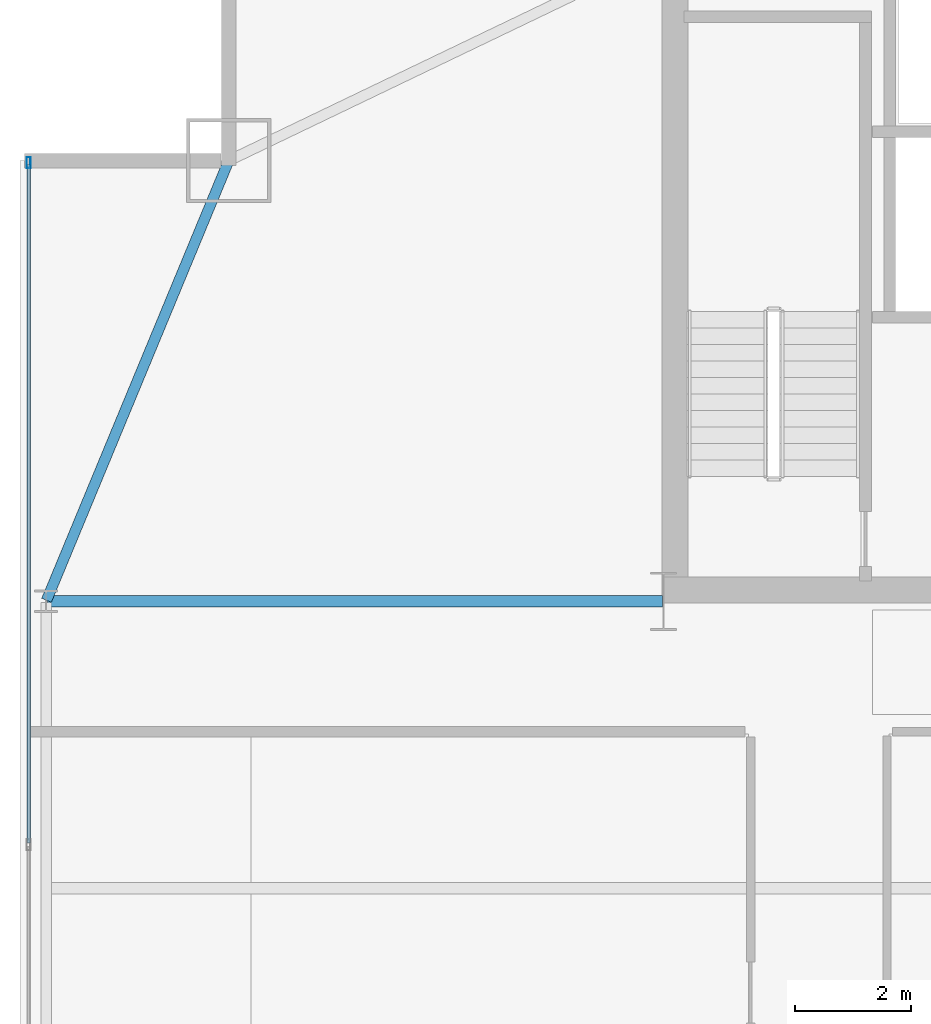
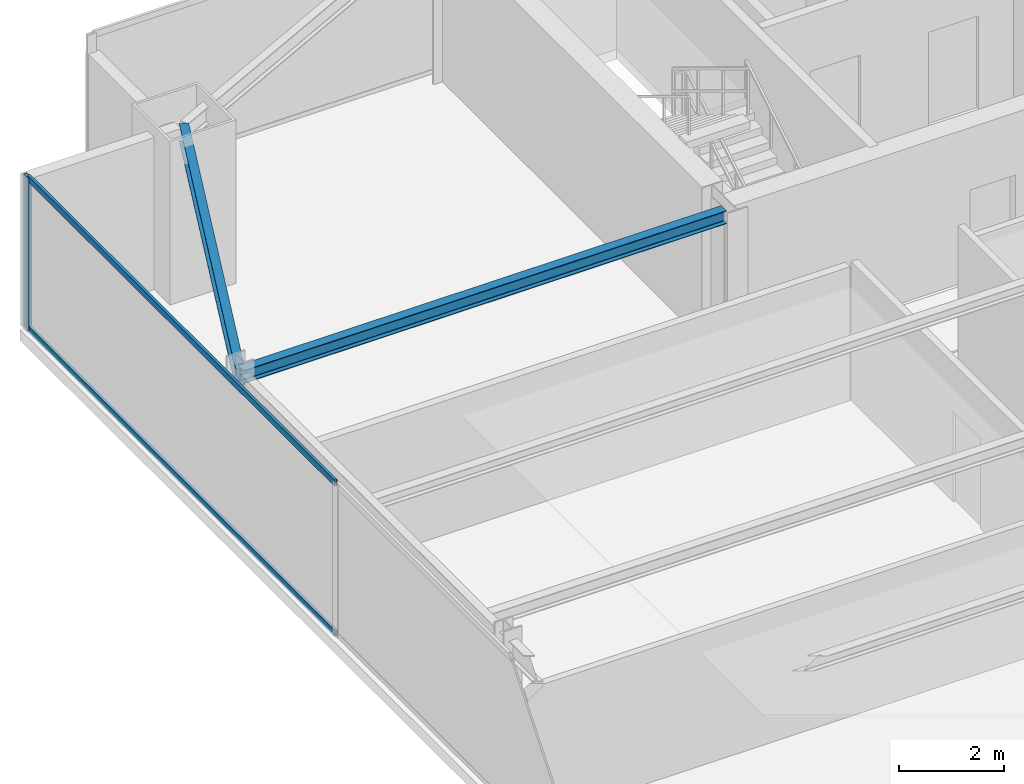
# One storey, part 21 of 34: 3 members, 2 beams, 1 element without a shape of its own.
"""IFC4 building model written with IfcOpenShell, lengths in metres."""

from ifc_helpers import new_model, si_unit, direction, frame, origin, origin_2d, place, context, subcontext, project, spatial, hollow_rectangle, i_section, extrude, source, transform, mapped, material, layer, layer_set, material_profile, profile_set, type_object, type_shapes, element, aggregate, save


model = new_model("IFC4")

# Units and contexts
model_context = context("Model", 3, precision=1e-05, world=origin(), true_north=direction((0.0, 1.0)))
body_context = subcontext(model_context, "Body", "Model", "MODEL_VIEW")
ifc_project = project(units=[si_unit("LENGTHUNIT", "METRE"), si_unit("AREAUNIT", "SQUARE_METRE"), si_unit("VOLUMEUNIT", "CUBIC_METRE"), si_unit("PLANEANGLEUNIT", "RADIAN"), si_unit("MASSUNIT", "GRAM", prefix="KILO")], contexts=[model_context])

# Site, building, storey
site_placement = place(None, origin())
site = spatial("IfcSite", under=ifc_project, at=site_placement, CompositionType="ELEMENT")
building_placement = place(site_placement, origin())
building = spatial("IfcBuilding", under=site, at=building_placement, Name="Varnel Quay Broadcast Tower", CompositionType="ELEMENT")
storey_placement = place(building_placement, frame((0.0, 0.0, 110.60009765625)))
storey = spatial("IfcBuildingStorey", under=building, at=storey_placement, Name="L26", CompositionType="ELEMENT", Elevation=110.60009765625)

# Beams
ifc_material_1 = material(Name="Structural Steel CSA G40.21 350W", Category="steel")
ifc_material_profile_1 = material_profile(ifc_material_1, i_section(OverallWidth=0.180908203125, OverallDepth=0.4169921875, WebThickness=0.010986328125, FlangeThickness=0.018310546875, FilletRadius=0.011962890625, at=origin_2d()), Name="W410X85")
ifc_profile_set_1 = profile_set([ifc_material_profile_1], Name="Structural Steel CSA G40.21 350W")
beam_type_1 = type_object("IfcBeamType", Name="Beam_W410X85", PredefinedType="SPANDREL", material=ifc_profile_set_1)
shared_shape_1 = source(origin(), body_context, "Body", "SweptSolid", [
    extrude(i_section(OverallWidth=0.180908203125, OverallDepth=0.4169921875, WebThickness=0.010986328125, FlangeThickness=0.018310546875, FilletRadius=0.011962890625, at=origin_2d()), origin(), (0.0, 0.0, 1.0), 8.186767578125),
])
type_shapes(beam_type_1, [shared_shape_1])
beam_1_placement = place(storey_placement, frame((4.957763671875, 35.618408203125, 3.34130859375), z_axis=(0.382874132092, 0.923800519038, 0.0), x_axis=(-0.923800519038, 0.382874132092, 0.0)))
element("IfcBeam", 1, at=beam_1_placement, inside=storey, type_object=beam_type_1, Name="L26 West Spandrel TC-W3-MC-NW", PredefinedType="SPANDREL", context=body_context, shape_type="MappedRepresentation", body=[
    mapped(shared_shape_1, transform((0.0, 0.0, 0.0), x_axis=(1.0, 0.0, 0.0), y_axis=(0.0, 1.0, 0.0), z_axis=(0.0, 0.0, 1.0), scale=1.0)),
])
ifc_material_profile_2 = material_profile(ifc_material_1, i_section(OverallWidth=0.202880859375, OverallDepth=0.302978515625, WebThickness=0.007568359375, FlangeThickness=0.01318359375, FilletRadius=0.011962890625, at=origin_2d()), Name="W310X60")
ifc_profile_set_2 = profile_set([ifc_material_profile_2], Name="Structural Steel CSA G40.21 350W")
beam_type_2 = type_object("IfcBeamType", Name="Beam_W310X60", PredefinedType="JOIST", material=ifc_profile_set_2)
shared_shape_2 = source(origin(), body_context, "Body", "SweptSolid", [
    extrude(i_section(OverallWidth=0.202880859375, OverallDepth=0.302978515625, WebThickness=0.007568359375, FlangeThickness=0.01318359375, FilletRadius=0.011962890625, at=origin_2d()), origin(), (0.0, 0.0, 1.0), 10.610107421875),
])
type_shapes(beam_type_2, [shared_shape_2])
beam_2_placement = place(storey_placement, frame((4.969970703125, 35.60009765625, 3.3984375), z_axis=(1.0, 0.0, 0.0), x_axis=(0.0, 1.0, 0.0)))
element("IfcBeam", 2, at=beam_2_placement, inside=storey, type_object=beam_type_2, Name="L26 West Core Tie Joist", PredefinedType="JOIST", context=body_context, shape_type="MappedRepresentation", body=[
    mapped(shared_shape_2, transform((0.0, 0.0, 0.0), x_axis=(1.0, 0.0, 0.0), y_axis=(0.0, 1.0, 0.0), z_axis=(0.0, 0.0, 1.0), scale=1.0)),
])

# Curtain wall, members
ifc_material_2 = material(Name="Anodised Bronze Aluminium 6063-T6", Category="aluminium")
ifc_layer = layer(ifc_material_2, 0.18994140625, Name="Anodised Bronze Aluminium 6063-T6")
ifc_layer_set = layer_set([ifc_layer], Name="Anodised Bronze Aluminium 6063-T6")
curtain_wall_type = type_object("IfcCurtainWallType", Name="CW_LowerTower", PredefinedType="NOTDEFINED", material=ifc_layer_set)
curtain_wall_placement = place(storey_placement, origin())
curtain_wall = element("IfcCurtainWall", 3, at=curtain_wall_placement, inside=storey, type_object=curtain_wall_type, Name="L26 West Unitised Curtain Wall", PredefinedType="NOTDEFINED")
ifc_material_profile_3 = material_profile(ifc_material_2, hollow_rectangle(XDim=0.06005859375, YDim=0.14501953125, WallThickness=0.00341796875, at=origin_2d()), Name="ALU60X145X3.5")
ifc_profile_set_3 = profile_set([ifc_material_profile_3], Name="Anodised Bronze Aluminium 6063-T6")
member_type_1 = type_object("IfcMemberType", Name="Tran_CWS-02", PredefinedType="USERDEFINED", material=ifc_profile_set_3)
shared_shape_3 = source(origin(), body_context, "Body", "SweptSolid", [
    extrude(hollow_rectangle(XDim=0.06005859375, YDim=0.14501953125, WallThickness=0.00341796875, at=origin_2d()), origin(), (0.0, 0.0, 1.0), 11.69482421875),
])
type_shapes(member_type_1, [shared_shape_3])
member_1_placement = place(storey_placement, frame((4.64990234375, 31.43505859375, 0.02978515625), z_axis=(0.0, 1.0, 0.0), x_axis=(-1.0, 0.0, 0.0)))
member_1 = element("IfcMember", 4, at=member_1_placement, type_object=member_type_1, Name="CWS-02 transom 3.1", ObjectType="TRANSOM", PredefinedType="USERDEFINED", context=body_context, shape_type="MappedRepresentation", body=[
    mapped(shared_shape_3, transform((0.0, 0.0, 0.0), x_axis=(1.0, 0.0, 0.0), y_axis=(0.0, 1.0, 0.0), z_axis=(0.0, 0.0, 1.0), scale=1.0)),
])
member_2_placement = place(storey_placement, frame((4.64990234375, 31.43505859375, 3.52001953125), z_axis=(0.0, 1.0, 0.0), x_axis=(-1.0, 0.0, 0.0)))
member_2 = element("IfcMember", 5, at=member_2_placement, type_object=member_type_1, Name="CWS-02 transom 3.2", ObjectType="TRANSOM", PredefinedType="USERDEFINED", context=body_context, shape_type="MappedRepresentation", body=[
    mapped(shared_shape_3, transform((0.0, 0.0, 0.0), x_axis=(1.0, 0.0, 0.0), y_axis=(0.0, 1.0, 0.0), z_axis=(0.0, 0.0, 1.0), scale=1.0)),
])
ifc_material_profile_4 = material_profile(ifc_material_2, hollow_rectangle(XDim=0.070068359375, YDim=0.18994140625, WallThickness=0.00390625, at=origin_2d()), Name="ALU70X190X4")
ifc_profile_set_4 = profile_set([ifc_material_profile_4], Name="Anodised Bronze Aluminium 6063-T6")
member_type_2 = type_object("IfcMemberType", Name="Mull_CWS-02", PredefinedType="MULLION", material=ifc_profile_set_4)
shared_shape_4 = source(origin(), body_context, "Body", "SweptSolid", [
    extrude(hollow_rectangle(XDim=0.070068359375, YDim=0.18994140625, WallThickness=0.00390625, at=origin_2d()), origin(), (0.0, 0.0, 1.0), 3.5498046875),
])
type_shapes(member_type_2, [shared_shape_4])
member_3_placement = place(storey_placement, frame((4.64990234375, 43.1650390625, 0.0), z_axis=(0.0, 0.0, 1.0), x_axis=(-1.0, 0.0, 0.0)))
member_3 = element("IfcMember", 6, at=member_3_placement, type_object=member_type_2, Name="CWS-02 mullion 4", PredefinedType="MULLION", context=body_context, shape_type="MappedRepresentation", body=[
    mapped(shared_shape_4, transform((0.0, 0.0, 0.0), x_axis=(1.0, 0.0, 0.0), y_axis=(0.0, 1.0, 0.0), z_axis=(0.0, 0.0, 1.0), scale=1.0)),
])
aggregate(curtain_wall, [member_3, member_1, member_2])

save(model, "model.ifc")
